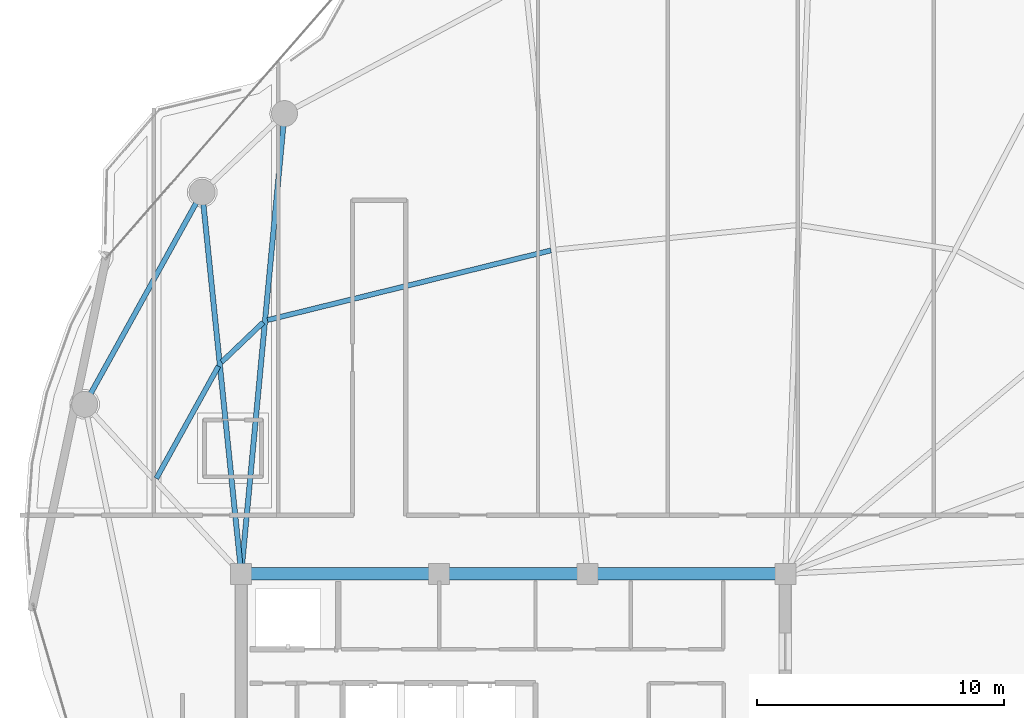
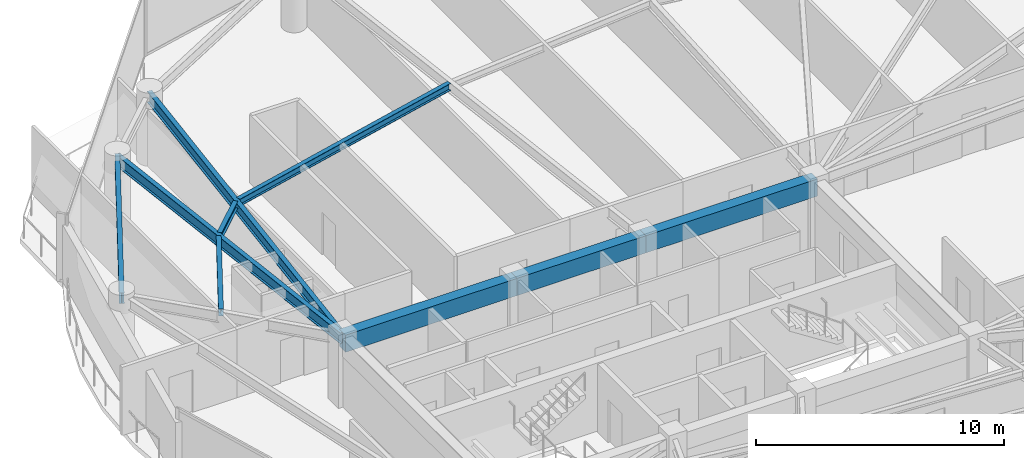
# One storey, part 8 of 29: 9 beams.
"""IFC4 building model written with IfcOpenShell, lengths in metres."""

from ifc_helpers import new_model, si_unit, direction, frame, origin, origin_2d, place, context, subcontext, project, spatial, rectangle, i_section, extrude, material, material_profile, profile_set, type_object, element, save


model = new_model("IFC4")

# Units and contexts
model_context = context("Model", 3, precision=1e-05, world=origin(), true_north=direction((0.0, 1.0)))
body_context = subcontext(model_context, "Body", "Model", "MODEL_VIEW")
ifc_project = project(units=[si_unit("LENGTHUNIT", "METRE"), si_unit("AREAUNIT", "SQUARE_METRE"), si_unit("VOLUMEUNIT", "CUBIC_METRE"), si_unit("PLANEANGLEUNIT", "RADIAN"), si_unit("MASSUNIT", "GRAM", prefix="KILO")], contexts=[model_context])

# Site, building, storey
site_placement = place(None, origin())
site = spatial("IfcSite", under=ifc_project, at=site_placement, CompositionType="ELEMENT")
building_placement = place(site_placement, origin())
building = spatial("IfcBuilding", under=site, at=building_placement, Name="Kazevale Care Tower and Concert Hall", CompositionType="ELEMENT")
storey_placement = place(building_placement, frame((0.0, 0.0, 213.60009765625)))
storey = spatial("IfcBuildingStorey", under=building, at=storey_placement, Name="L56", CompositionType="ELEMENT", Elevation=213.60009765625)

# Beams
ifc_material_1 = material(Name="Concrete C60", Category="concrete")
ifc_material_profile_1 = material_profile(ifc_material_1, rectangle(XDim=0.5, YDim=0.85009765625, at=origin_2d()), Name="RC-B500x850")
ifc_profile_set_1 = profile_set([ifc_material_profile_1], Name="Concrete C60")
beam_type_1 = type_object("IfcBeamType", Name="Core Coupling Beam RC500x850", PredefinedType="LINTEL", material=ifc_profile_set_1)
beam_1_placement = place(storey_placement, frame((44.0, 36.39990234375, 2.934814453125), z_axis=(-1.0, 0.0, 0.0), x_axis=(0.0, -1.0, 0.0)))
element("IfcBeam", 1, at=beam_1_placement, inside=storey, type_object=beam_type_1, Name="beam:L56:coretie:5", PredefinedType="LINTEL", context=body_context, shape_type="SweptSolid", body=[
    extrude(rectangle(XDim=0.5, YDim=0.85009765625, at=origin_2d()), origin(), (0.0, 0.0, 1.0), 8.0),
])
beam_2_placement = place(storey_placement, frame((36.0, 36.39990234375, 2.934814453125), z_axis=(-1.0, 0.0, 0.0), x_axis=(0.0, -1.0, 0.0)))
element("IfcBeam", 2, at=beam_2_placement, inside=storey, type_object=beam_type_1, Name="beam:L56:coretie:6", PredefinedType="LINTEL", context=body_context, shape_type="SweptSolid", body=[
    extrude(rectangle(XDim=0.5, YDim=0.85009765625, at=origin_2d()), origin(), (0.0, 0.0, 1.0), 6.0),
])
beam_3_placement = place(storey_placement, frame((30.0, 36.39990234375, 2.934814453125), z_axis=(-1.0, 0.0, 0.0), x_axis=(0.0, -1.0, 0.0)))
element("IfcBeam", 3, at=beam_3_placement, inside=storey, type_object=beam_type_1, Name="beam:L56:coretie:7", PredefinedType="LINTEL", context=body_context, shape_type="SweptSolid", body=[
    extrude(rectangle(XDim=0.5, YDim=0.85009765625, at=origin_2d()), origin(), (0.0, 0.0, 1.0), 8.0),
])
ifc_material_2 = material(Name="Steel ASTM A572 Gr 50", Category="steel")
ifc_material_profile_2 = material_profile(ifc_material_2, i_section(OverallWidth=0.2119140625, OverallDepth=0.5439453125, WebThickness=0.01318359375, FlangeThickness=0.021240234375, at=origin_2d()), Name="W530x123")
ifc_profile_set_2 = profile_set([ifc_material_profile_2], Name="Steel ASTM A572 Gr 50")
beam_type_2 = type_object("IfcBeamType", Name="Radial Floor Girder W530x123", PredefinedType="BEAM", material=ifc_profile_set_2)
beam_4_placement = place(storey_placement, frame((22.0, 36.39990234375, 3.087890625), z_axis=(0.093621904075, 0.995607823933, 0.0), x_axis=(-0.995607823933, 0.093621904075, 0.0)))
element("IfcBeam", 4, at=beam_4_placement, inside=storey, type_object=beam_type_2, Name="beam:L56:rad:07", PredefinedType="BEAM", context=body_context, shape_type="SweptSolid", body=[
    extrude(i_section(OverallWidth=0.2119140625, OverallDepth=0.5439453125, WebThickness=0.01318359375, FlangeThickness=0.021240234375, at=origin_2d()), origin(), (0.0, 0.0, 1.0), 18.692138671875),
])
beam_5_placement = place(storey_placement, frame((22.0, 36.39990234375, 3.087890625), z_axis=(-0.101869109083, 0.994797810922, 0.0), x_axis=(-0.994797810922, -0.101869109083, 0.0)))
element("IfcBeam", 5, at=beam_5_placement, inside=storey, type_object=beam_type_2, Name="beam:L56:rad:08", PredefinedType="BEAM", context=body_context, shape_type="SweptSolid", body=[
    extrude(i_section(OverallWidth=0.2119140625, OverallDepth=0.5439453125, WebThickness=0.01318359375, FlangeThickness=0.021240234375, at=origin_2d()), origin(), (0.0, 0.0, 1.0), 15.510986328125),
])
ifc_material_profile_3 = material_profile(ifc_material_2, i_section(OverallWidth=0.205078125, OverallDepth=0.35400390625, WebThickness=0.009521484375, FlangeThickness=0.016845703125, at=origin_2d()), Name="W360x79")
ifc_profile_set_3 = profile_set([ifc_material_profile_3], Name="Steel ASTM A572 Gr 50")
beam_type_3 = type_object("IfcBeamType", Name="Secondary Floor Joist W360x79", PredefinedType="JOIST", material=ifc_profile_set_3)
beam_6_placement = place(storey_placement, frame((34.52294921875, 49.47607421875, 3.182861328125), z_axis=(-0.971122715177, -0.238580535809, 0.0), x_axis=(0.238580535809, -0.971122715177, 0.0)))
element("IfcBeam", 6, at=beam_6_placement, inside=storey, type_object=beam_type_3, Name="beam:L56:joist:06", PredefinedType="JOIST", context=body_context, shape_type="SweptSolid", body=[
    extrude(i_section(OverallWidth=0.205078125, OverallDepth=0.35400390625, WebThickness=0.009521484375, FlangeThickness=0.016845703125, at=origin_2d()), origin(), (0.0, 0.0, 1.0), 11.7998046875),
])
beam_7_placement = place(storey_placement, frame((22.886962890625, 46.56298828125, 3.182861328125), z_axis=(-0.723262472539, -0.690573237114, 0.0), x_axis=(0.690573237114, -0.723262472539, 0.0)))
element("IfcBeam", 7, at=beam_7_placement, inside=storey, type_object=beam_type_3, Name="beam:L56:joist:07", PredefinedType="JOIST", context=body_context, shape_type="SweptSolid", body=[
    extrude(i_section(OverallWidth=0.205078125, OverallDepth=0.35400390625, WebThickness=0.009521484375, FlangeThickness=0.016845703125, at=origin_2d()), origin(), (0.0, 0.0, 1.0), 2.32275390625),
])
beam_8_placement = place(storey_placement, frame((21.080078125, 44.794921875, 3.182861328125), z_axis=(-0.484322963201, -0.874889288605, 0.0), x_axis=(0.874889288605, -0.484322963201, 0.0)))
element("IfcBeam", 8, at=beam_8_placement, inside=storey, type_object=beam_type_3, Name="beam:L56:joist:08", PredefinedType="JOIST", context=body_context, shape_type="SweptSolid", body=[
    extrude(i_section(OverallWidth=0.205078125, OverallDepth=0.35400390625, WebThickness=0.009521484375, FlangeThickness=0.016845703125, at=origin_2d()), origin(), (0.0, 0.0, 1.0), 5.1845703125),
])
ifc_material_profile_4 = material_profile(ifc_material_2, i_section(OverallWidth=0.208984375, OverallDepth=0.532958984375, WebThickness=0.01025390625, FlangeThickness=0.015625, at=origin_2d()), Name="W530x92")
ifc_profile_set_4 = profile_set([ifc_material_profile_4], Name="Steel ASTM A572 Gr 50")
beam_type_4 = type_object("IfcBeamType", Name="Upper Ring Beam W530x92", PredefinedType="BEAM", material=ifc_profile_set_4)
beam_9_placement = place(storey_placement, frame((20.419921875, 51.830078125, 3.093505859375), z_axis=(-0.484340382014, -0.874879645637, 0.0), x_axis=(0.874879645637, -0.484340382014, 0.0)))
element("IfcBeam", 9, at=beam_9_placement, inside=storey, type_object=beam_type_4, Name="beam:L56:ring:08", PredefinedType="BEAM", context=body_context, shape_type="SweptSolid", body=[
    extrude(i_section(OverallWidth=0.208984375, OverallDepth=0.532958984375, WebThickness=0.01025390625, FlangeThickness=0.015625, at=origin_2d()), origin(), (0.0, 0.0, 1.0), 9.80712890625),
])

save(model, "model.ifc")
